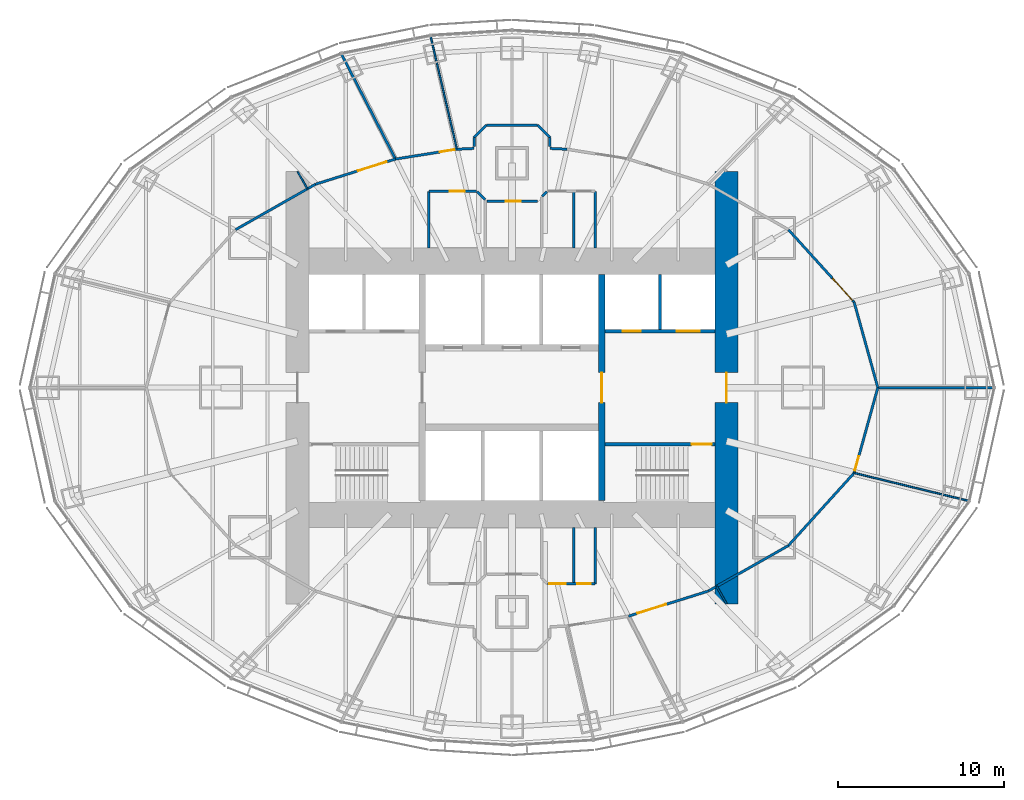
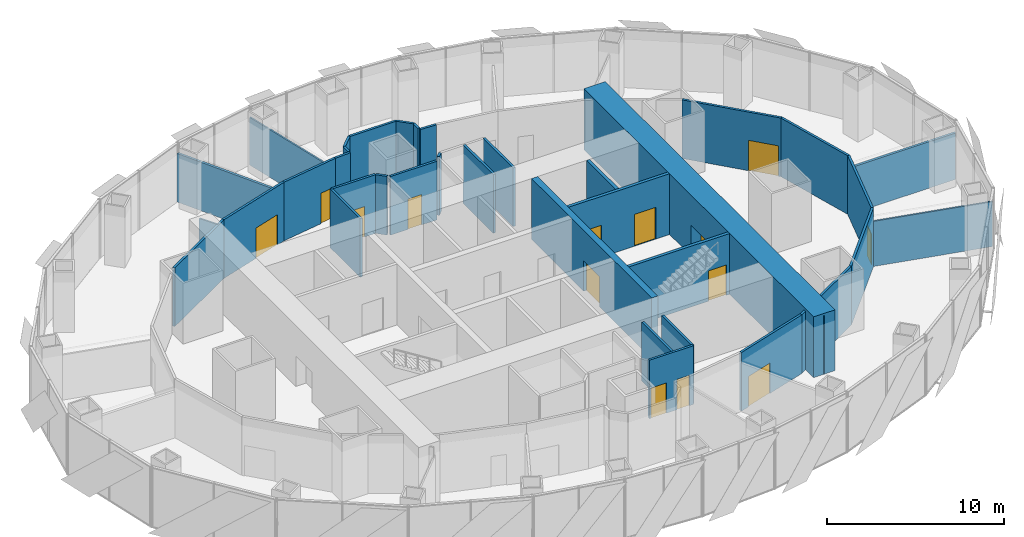
# One storey, part 12 of 18: 37 walls, 14 doors, 14 openings.
"""IFC4 building model written with IfcOpenShell, lengths in metres."""

from ifc_helpers import new_model, si_unit, direction, frame, frame_2d, origin, place, context, subcontext, project, spatial, rectangle, extrude, material, layer, layer_set, type_object, element, fill, save


model = new_model("IFC4")

# Units and contexts
model_context = context("Model", 3, precision=1e-05, world=origin(), true_north=direction((0.0, 1.0)))
body_context = subcontext(model_context, "Body", "Model", "MODEL_VIEW")
ifc_project = project(units=[si_unit("LENGTHUNIT", "METRE"), si_unit("AREAUNIT", "SQUARE_METRE"), si_unit("VOLUMEUNIT", "CUBIC_METRE"), si_unit("PLANEANGLEUNIT", "RADIAN"), si_unit("MASSUNIT", "GRAM", prefix="KILO")], contexts=[model_context])

# Site, building, storey
site_placement = place(None, origin())
site = spatial("IfcSite", under=ifc_project, at=site_placement, CompositionType="ELEMENT")
building_placement = place(site_placement, origin())
building = spatial("IfcBuilding", under=site, at=building_placement, Name="Lantaw Convention Tower", CompositionType="ELEMENT")
storey_placement = place(building_placement, frame((0.0, 0.0, 172.0)))
storey = spatial("IfcBuildingStorey", under=building, at=storey_placement, Name="L40", CompositionType="ELEMENT", Elevation=172.0)

# Wall, opening, door
ifc_material_1 = material(Name="Concrete C60/75", Category="concrete")
ifc_layer_1 = layer(ifc_material_1, 1.39990234375)
ifc_layer_set_1 = layer_set([ifc_layer_1], Name="Core wall 1400")
wall_type_1 = type_object("IfcWallType", Name="Core wall 1400", PredefinedType="SHEAR", material=ifc_layer_set_1)
wall_1_placement = place(storey_placement, frame((12.89990234375, -13.0, 0.0), z_axis=(0.0, 0.0, 1.0), x_axis=(0.0, 1.0, 0.0)))
wall_1 = element("IfcWall", 1, at=wall_1_placement, inside=storey, type_object=wall_type_1, Name="Core wall E", PredefinedType="SHEAR", context=body_context, shape_type="SweptSolid", body=[
    extrude(rectangle(XDim=26.0, YDim=1.39990234375, at=frame_2d((13.0, 0.0))), origin(), (0.0, 0.0, 1.0), 4.199951171875),
])
opening_1_placement = place(wall_1_placement, frame((12.10009765625, 0.0, 0.0)))
opening_1 = element("IfcOpeningElement", 2, at=opening_1_placement, cuts=wall_1, Name="Opening L40.05", PredefinedType="OPENING", context=body_context, shape_type="SweptSolid", body=[
    extrude(rectangle(XDim=1.800048828125, YDim=2.10009765625, at=frame_2d((0.89990234375, 1.050048828125))), frame((0.0, 0.7099609375, 0.0), z_axis=(0.0, -1.0, 0.0), x_axis=(1.0, 0.0, 0.0)), (0.0, 0.0, 1.0), 1.419921875),
])
ifc_material_2 = material(Name="Steel, fire rated", Category="steel")
door_type_1 = type_object("IfcDoorType", Name="Lobby double door FD90", OperationType="DOUBLE_DOOR_DOUBLE_SWING", PredefinedType="DOOR", material=ifc_material_2)
door_1_placement = place(opening_1_placement, origin())
door_1 = element("IfcDoor", 3, at=door_1_placement, inside=storey, type_object=door_type_1, Name="Firefighting lobby door", OperationType="DOUBLE_DOOR_DOUBLE_SWING", OverallHeight=2.10009765625, OverallWidth=1.800048828125, PredefinedType="DOOR", context=body_context, shape_type="SweptSolid", body=[
    extrude(rectangle(XDim=1.800048828125, YDim=2.10009765625, at=frame_2d((0.89990234375, 1.050048828125))), frame((0.0, 0.02490234375, 0.0), z_axis=(0.0, -1.0, 0.0), x_axis=(1.0, 0.0, 0.0)), (0.0, 0.0, 1.0), 0.050048828125),
])
fill(opening_1, door_1)

ifc_layer_2 = layer(ifc_material_1, 0.199951171875)
ifc_layer_set_2 = layer_set([ifc_layer_2], Name="Core wall 200")
wall_type_2 = type_object("IfcWallType", Name="Core wall 200", PredefinedType="SHEAR", material=ifc_layer_set_2)
wall_2_placement = place(storey_placement, frame((5.60009765625, -3.39990234375, 0.0), z_axis=(0.0, 0.0, 1.0), x_axis=(1.0, 0.0, 0.0)))
wall_2 = element("IfcWall", 4, at=wall_2_placement, inside=storey, type_object=wall_type_2, Name="Core wall ES", PredefinedType="SHEAR", context=body_context, shape_type="SweptSolid", body=[
    extrude(rectangle(XDim=6.599853515625, YDim=0.199951171875, at=frame_2d((3.2998046875, 0.0))), origin(), (0.0, 0.0, 1.0), 4.199951171875),
])
opening_2_placement = place(wall_2_placement, frame((5.199951171875, 0.0, 0.0)))
opening_2 = element("IfcOpeningElement", 5, at=opening_2_placement, cuts=wall_2, Name="Opening L40.03", PredefinedType="OPENING", context=body_context, shape_type="SweptSolid", body=[
    extrude(rectangle(XDim=1.199951171875, YDim=2.10009765625, at=frame_2d((0.60009765625, 1.050048828125))), frame((0.0, 0.10986328125, 0.0), z_axis=(0.0, -1.0, 0.0), x_axis=(1.0, 0.0, 0.0)), (0.0, 0.0, 1.0), 0.219970703125),
])
door_type_2 = type_object("IfcDoorType", Name="Stair door FD90", OperationType="SINGLE_SWING_RIGHT", PredefinedType="DOOR", material=ifc_material_2)
door_2_placement = place(opening_2_placement, origin())
door_2 = element("IfcDoor", 6, at=door_2_placement, inside=storey, type_object=door_type_2, Name="Exit stair door", OperationType="SINGLE_SWING_RIGHT", OverallHeight=2.10009765625, OverallWidth=1.199951171875, PredefinedType="DOOR", context=body_context, shape_type="SweptSolid", body=[
    extrude(rectangle(XDim=1.199951171875, YDim=2.10009765625, at=frame_2d((0.60009765625, 1.050048828125))), frame((0.0, 0.02490234375, 0.0), z_axis=(0.0, -1.0, 0.0), x_axis=(1.0, 0.0, 0.0)), (0.0, 0.0, 1.0), 0.050048828125),
])
fill(opening_2, door_2)

ifc_layer_3 = layer(ifc_material_1, 0.39990234375)
ifc_layer_set_3 = layer_set([ifc_layer_3], Name="Core wall 400")
wall_type_3 = type_object("IfcWallType", Name="Core wall 400", PredefinedType="SHEAR", material=ifc_layer_set_3)
wall_3_placement = place(storey_placement, frame((5.39990234375, -6.800048828125, 0.0), z_axis=(0.0, 0.0, 1.0), x_axis=(0.0, 1.0, 0.0)))
wall_3 = element("IfcWall", 7, at=wall_3_placement, inside=storey, type_object=wall_type_3, Name="Core wall XE", PredefinedType="SHEAR", context=body_context, shape_type="SweptSolid", body=[
    extrude(rectangle(XDim=13.60009765625, YDim=0.39990234375, at=frame_2d((6.800048828125, 0.0))), origin(), (0.0, 0.0, 1.0), 4.199951171875),
])
opening_3_placement = place(wall_3_placement, frame((5.89990234375, 0.0, 0.0)))
opening_3 = element("IfcOpeningElement", 8, at=opening_3_placement, cuts=wall_3, Name="Opening L40.01", PredefinedType="OPENING", context=body_context, shape_type="SweptSolid", body=[
    extrude(rectangle(XDim=1.800048828125, YDim=2.10009765625, at=frame_2d((0.89990234375, 1.050048828125))), frame((0.0, 0.2099609375, 0.0), z_axis=(0.0, -1.0, 0.0), x_axis=(1.0, 0.0, 0.0)), (0.0, 0.0, 1.0), 0.419921875),
])
door_3_placement = place(opening_3_placement, origin())
door_3 = element("IfcDoor", 9, at=door_3_placement, inside=storey, type_object=door_type_1, Name="Lift lobby door", OperationType="DOUBLE_DOOR_DOUBLE_SWING", OverallHeight=2.10009765625, OverallWidth=1.800048828125, PredefinedType="DOOR", context=body_context, shape_type="SweptSolid", body=[
    extrude(rectangle(XDim=1.800048828125, YDim=2.10009765625, at=frame_2d((0.89990234375, 1.050048828125))), frame((0.0, 0.02490234375, 0.0), z_axis=(0.0, -1.0, 0.0), x_axis=(1.0, 0.0, 0.0)), (0.0, 0.0, 1.0), 0.050048828125),
])
fill(opening_3, door_3)

# Wall
ifc_material_3 = material(Name="Gypsum board on steel studs, fire rated", Category="steel")
ifc_layer_4 = layer(ifc_material_3, 0.14990234375)
ifc_layer_set_4 = layer_set([ifc_layer_4], Name="Corridor wall 150 EI 60")
wall_type_4 = type_object("IfcWallType", Name="Corridor wall 150 EI 60", PredefinedType="PARTITIONING", material=ifc_layer_set_4)
wall_4_placement = place(storey_placement, frame((22.0, 0.0, 0.0), z_axis=(0.0, 0.0, 1.0), x_axis=(-0.267293817428, 0.963615076244, 0.0)))
element("IfcWall", 10, at=wall_4_placement, inside=storey, type_object=wall_type_4, Name="Corridor wall 150", PredefinedType="PARTITIONING", context=body_context, shape_type="SweptSolid", body=[
    extrude(rectangle(XDim=5.323974609375, YDim=0.14990234375, at=frame_2d((2.662109375, 0.0))), origin(), (0.0, 0.0, 1.0), 4.050048828125),
])

# Wall, opening, door
wall_5_placement = place(storey_placement, frame((20.576904296875, 5.13037109375, 0.0), z_axis=(0.0, 0.0, 1.0), x_axis=(-0.671118353743, 0.741350224435, 0.0)))
wall_5 = element("IfcWall", 11, at=wall_5_placement, inside=storey, type_object=wall_type_4, Name="Corridor wall 150", PredefinedType="PARTITIONING", context=body_context, shape_type="SweptSolid", body=[
    extrude(rectangle(XDim=5.89208984375, YDim=0.14990234375, at=frame_2d((2.946044921875, 0.0))), origin(), (0.0, 0.0, 1.0), 4.050048828125),
])
opening_4_placement = place(wall_5_placement, frame((0.14990234375, 0.0, 0.0)))
opening_4 = element("IfcOpeningElement", 12, at=opening_4_placement, cuts=wall_5, Name="Opening L40.22", PredefinedType="OPENING", context=body_context, shape_type="SweptSolid", body=[
    extrude(rectangle(XDim=1.800048828125, YDim=2.10009765625, at=frame_2d((0.89990234375, 1.050048828125))), frame((0.0, 0.0849609375, 0.0), z_axis=(0.0, -1.0, 0.0), x_axis=(1.0, 0.0, 0.0)), (0.0, 0.0, 1.0), 0.169921875),
])
door_type_3 = type_object("IfcDoorType", Name="Office double door 1800 FD30", OperationType="DOUBLE_DOOR_DOUBLE_SWING", PredefinedType="DOOR", material=ifc_material_2)
door_4_placement = place(opening_4_placement, origin())
door_4 = element("IfcDoor", 13, at=door_4_placement, inside=storey, type_object=door_type_3, Name="Tenant suite door", OperationType="DOUBLE_DOOR_DOUBLE_SWING", OverallHeight=2.10009765625, OverallWidth=1.800048828125, PredefinedType="DOOR", context=body_context, shape_type="SweptSolid", body=[
    extrude(rectangle(XDim=1.800048828125, YDim=2.10009765625, at=frame_2d((0.89990234375, 1.050048828125))), frame((0.0, 0.02490234375, 0.0), z_axis=(0.0, -1.0, 0.0), x_axis=(1.0, 0.0, 0.0)), (0.0, 0.0, 1.0), 0.050048828125),
])
fill(opening_4, door_4)

wall_6_placement = place(storey_placement, frame((-3.3095703125, 14.3349609375, 0.0), z_axis=(0.0, 0.0, 1.0), x_axis=(-0.987511396594, -0.157547585181, 0.0)))
wall_6 = element("IfcWall", 14, at=wall_6_placement, inside=storey, type_object=wall_type_4, Name="Corridor wall 150", PredefinedType="PARTITIONING", context=body_context, shape_type="SweptSolid", body=[
    extrude(rectangle(XDim=3.74072265625, YDim=0.14990234375, at=frame_2d((1.870361328125, 0.0))), origin(), (0.0, 0.0, 1.0), 4.050048828125),
])
opening_5_placement = place(wall_6_placement, frame((0.14990234375, 0.0, 0.0)))
opening_5 = element("IfcOpeningElement", 15, at=opening_5_placement, cuts=wall_6, Name="Opening L40.25", PredefinedType="OPENING", context=body_context, shape_type="SweptSolid", body=[
    extrude(rectangle(XDim=0.89990234375, YDim=2.10009765625, at=frame_2d((0.449951171875, 1.050048828125))), frame((0.0, 0.0849609375, 0.0), z_axis=(0.0, -1.0, 0.0), x_axis=(1.0, 0.0, 0.0)), (0.0, 0.0, 1.0), 0.169921875),
])
door_type_4 = type_object("IfcDoorType", Name="Office door 900 FD30", OperationType="SINGLE_SWING_LEFT", PredefinedType="DOOR", material=ifc_material_2)
door_5_placement = place(opening_5_placement, origin())
door_5 = element("IfcDoor", 16, at=door_5_placement, inside=storey, type_object=door_type_4, Name="Meeting room door", OperationType="SINGLE_SWING_LEFT", OverallHeight=2.10009765625, OverallWidth=0.89990234375, PredefinedType="DOOR", context=body_context, shape_type="SweptSolid", body=[
    extrude(rectangle(XDim=0.89990234375, YDim=2.10009765625, at=frame_2d((0.449951171875, 1.050048828125))), frame((0.0, 0.02490234375, 0.0), z_axis=(0.0, -1.0, 0.0), x_axis=(1.0, 0.0, 0.0)), (0.0, 0.0, 1.0), 0.050048828125),
])
fill(opening_5, door_5)

wall_7_placement = place(storey_placement, frame((-7.003662109375, 13.74560546875, 0.0), z_axis=(0.0, 0.0, 1.0), x_axis=(-0.953893934057, -0.300143903101, 0.0)))
wall_7 = element("IfcWall", 17, at=wall_7_placement, inside=storey, type_object=wall_type_4, Name="Corridor wall 150", PredefinedType="PARTITIONING", context=body_context, shape_type="SweptSolid", body=[
    extrude(rectangle(XDim=5.04150390625, YDim=0.14990234375, at=frame_2d((2.520751953125, 0.0))), origin(), (0.0, 0.0, 1.0), 4.050048828125),
])
opening_6_placement = place(wall_7_placement, frame((0.5703125, 0.0, 0.0)))
opening_6 = element("IfcOpeningElement", 18, at=opening_6_placement, cuts=wall_7, Name="Opening L40.26", PredefinedType="OPENING", context=body_context, shape_type="SweptSolid", body=[
    extrude(rectangle(XDim=1.800048828125, YDim=2.10009765625, at=frame_2d((0.89990234375, 1.050048828125))), frame((0.0, 0.0849609375, 0.0), z_axis=(0.0, -1.0, 0.0), x_axis=(1.0, 0.0, 0.0)), (0.0, 0.0, 1.0), 0.169921875),
])
door_6_placement = place(opening_6_placement, origin())
door_6 = element("IfcDoor", 19, at=door_6_placement, inside=storey, type_object=door_type_3, Name="Tenant suite door", OperationType="DOUBLE_DOOR_DOUBLE_SWING", OverallHeight=2.10009765625, OverallWidth=1.800048828125, PredefinedType="DOOR", context=body_context, shape_type="SweptSolid", body=[
    extrude(rectangle(XDim=1.800048828125, YDim=2.10009765625, at=frame_2d((0.89990234375, 1.050048828125))), frame((0.0, 0.02490234375, 0.0), z_axis=(0.0, -1.0, 0.0), x_axis=(1.0, 0.0, 0.0)), (0.0, 0.0, 1.0), 0.050048828125),
])
fill(opening_6, door_6)

# Wall
wall_8_placement = place(storey_placement, frame((-11.812744140625, 12.232421875, 0.0), z_axis=(0.0, 0.0, 1.0), x_axis=(-0.869375991036, -0.494151177485, 0.0)))
element("IfcWall", 20, at=wall_8_placement, inside=storey, type_object=wall_type_4, Name="Corridor wall 150", PredefinedType="PARTITIONING", context=body_context, shape_type="SweptSolid", body=[
    extrude(rectangle(XDim=5.532470703125, YDim=0.14990234375, at=frame_2d((2.76611328125, 0.0))), origin(), (0.0, 0.0, 1.0), 4.050048828125),
])

# Wall, opening, door
wall_9_placement = place(storey_placement, frame((7.003662109375, -13.74560546875, 0.0), z_axis=(0.0, 0.0, 1.0), x_axis=(0.953893934057, 0.300143903101, 0.0)))
wall_9 = element("IfcWall", 21, at=wall_9_placement, inside=storey, type_object=wall_type_4, Name="Corridor wall 150", PredefinedType="PARTITIONING", context=body_context, shape_type="SweptSolid", body=[
    extrude(rectangle(XDim=5.04150390625, YDim=0.14990234375, at=frame_2d((2.520751953125, 0.0))), origin(), (0.0, 0.0, 1.0), 4.050048828125),
])
opening_7_placement = place(wall_9_placement, frame((0.5703125, 0.0, 0.0)))
opening_7 = element("IfcOpeningElement", 22, at=opening_7_placement, cuts=wall_9, Name="Opening L40.32", PredefinedType="OPENING", context=body_context, shape_type="SweptSolid", body=[
    extrude(rectangle(XDim=1.800048828125, YDim=2.10009765625, at=frame_2d((0.89990234375, 1.050048828125))), frame((0.0, 0.0849609375, 0.0), z_axis=(0.0, -1.0, 0.0), x_axis=(1.0, 0.0, 0.0)), (0.0, 0.0, 1.0), 0.169921875),
])
door_7_placement = place(opening_7_placement, origin())
door_7 = element("IfcDoor", 23, at=door_7_placement, inside=storey, type_object=door_type_3, Name="Tenant suite door", OperationType="DOUBLE_DOOR_DOUBLE_SWING", OverallHeight=2.10009765625, OverallWidth=1.800048828125, PredefinedType="DOOR", context=body_context, shape_type="SweptSolid", body=[
    extrude(rectangle(XDim=1.800048828125, YDim=2.10009765625, at=frame_2d((0.89990234375, 1.050048828125))), frame((0.0, 0.02490234375, 0.0), z_axis=(0.0, -1.0, 0.0), x_axis=(1.0, 0.0, 0.0)), (0.0, 0.0, 1.0), 0.050048828125),
])
fill(opening_7, door_7)

# Walls
wall_10_placement = place(storey_placement, frame((11.812744140625, -12.232421875, 0.0), z_axis=(0.0, 0.0, 1.0), x_axis=(0.869375991036, 0.494151177485, 0.0)))
element("IfcWall", 24, at=wall_10_placement, inside=storey, type_object=wall_type_4, Name="Corridor wall 150", PredefinedType="PARTITIONING", context=body_context, shape_type="SweptSolid", body=[
    extrude(rectangle(XDim=5.532470703125, YDim=0.14990234375, at=frame_2d((2.76611328125, 0.0))), origin(), (0.0, 0.0, 1.0), 4.050048828125),
])
wall_11_placement = place(storey_placement, frame((16.62255859375, -9.49853515625, 0.0), z_axis=(0.0, 0.0, 1.0), x_axis=(0.671118353743, 0.741350224435, 0.0)))
element("IfcWall", 25, at=wall_11_placement, inside=storey, type_object=wall_type_4, Name="Corridor wall 150", PredefinedType="PARTITIONING", context=body_context, shape_type="SweptSolid", body=[
    extrude(rectangle(XDim=5.89208984375, YDim=0.14990234375, at=frame_2d((2.946044921875, 0.0))), origin(), (0.0, 0.0, 1.0), 4.050048828125),
])

# Wall, opening, door
wall_12_placement = place(storey_placement, frame((20.576904296875, -5.13037109375, 0.0), z_axis=(0.0, 0.0, 1.0), x_axis=(0.267293817428, 0.963615076244, 0.0)))
wall_12 = element("IfcWall", 26, at=wall_12_placement, inside=storey, type_object=wall_type_4, Name="Corridor wall 150", PredefinedType="PARTITIONING", context=body_context, shape_type="SweptSolid", body=[
    extrude(rectangle(XDim=5.323974609375, YDim=0.14990234375, at=frame_2d((2.662109375, 0.0))), origin(), (0.0, 0.0, 1.0), 4.050048828125),
])
opening_8_placement = place(wall_12_placement, frame((0.14990234375, 0.0, 0.0)))
opening_8 = element("IfcOpeningElement", 27, at=opening_8_placement, cuts=wall_12, Name="Opening L40.33", PredefinedType="OPENING", context=body_context, shape_type="SweptSolid", body=[
    extrude(rectangle(XDim=0.89990234375, YDim=2.10009765625, at=frame_2d((0.449951171875, 1.050048828125))), frame((0.0, 0.0849609375, 0.0), z_axis=(0.0, -1.0, 0.0), x_axis=(1.0, 0.0, 0.0)), (0.0, 0.0, 1.0), 0.169921875),
])
door_8_placement = place(opening_8_placement, origin())
door_8 = element("IfcDoor", 28, at=door_8_placement, inside=storey, type_object=door_type_4, Name="Meeting room door", OperationType="SINGLE_SWING_LEFT", OverallHeight=2.10009765625, OverallWidth=0.89990234375, PredefinedType="DOOR", context=body_context, shape_type="SweptSolid", body=[
    extrude(rectangle(XDim=0.89990234375, YDim=2.10009765625, at=frame_2d((0.449951171875, 1.050048828125))), frame((0.0, 0.02490234375, 0.0), z_axis=(0.0, -1.0, 0.0), x_axis=(1.0, 0.0, 0.0)), (0.0, 0.0, 1.0), 0.050048828125),
])
fill(opening_8, door_8)

# Walls
for number, where, z_axis, x_axis, name in (
    (29, (3.3095703125, 14.3349609375, 0.0), (0.0, 0.0, 1.0), (-0.998761909217, 0.049745841003, 0.0), "Corridor wall 150"),
    (30, (-2.294921875, 14.385498046875, 0.0), (0.0, 0.0, 1.0), (-0.998761909217, -0.049745841003, 0.0), "Corridor wall 150"),
):
    element("IfcWall", number, at=place(storey_placement, frame(where, z_axis=z_axis, x_axis=x_axis)), inside=storey, type_object=wall_type_4, Name=name, PredefinedType="PARTITIONING", context=body_context, shape_type="SweptSolid", body=[
        extrude(rectangle(XDim=1.015869140625, YDim=0.14990234375, at=frame_2d((0.5078125, 0.0))), origin(), (0.0, 0.0, 1.0), 4.050048828125),
    ])
wall_13_placement = place(storey_placement, frame((-2.284912109375, 14.487060546875, 0.0), z_axis=(0.0, 0.0, 1.0), x_axis=(0.0, 1.0, 0.0)))
element("IfcWall", 31, at=wall_13_placement, inside=storey, type_object=wall_type_4, Name="Corridor wall 150", PredefinedType="PARTITIONING", context=body_context, shape_type="SweptSolid", body=[
    extrude(rectangle(XDim=0.545166015625, YDim=0.14990234375, at=frame_2d((0.2724609375, 0.0))), origin(), (0.0, 0.0, 1.0), 4.050048828125),
])
wall_14_placement = place(storey_placement, frame((-2.284912109375, 15.0322265625, 0.0), z_axis=(0.0, 0.0, 1.0), x_axis=(0.707106781187, 0.707106781187, 0.0)))
element("IfcWall", 32, at=wall_14_placement, inside=storey, type_object=wall_type_4, Name="Corridor wall 150", PredefinedType="PARTITIONING", context=body_context, shape_type="SweptSolid", body=[
    extrude(rectangle(XDim=1.064453125, YDim=0.14990234375, at=frame_2d((0.5322265625, 0.0))), origin(), (0.0, 0.0, 1.0), 4.050048828125),
])
wall_15_placement = place(storey_placement, frame((-1.5322265625, 15.784912109375, 0.0), z_axis=(0.0, 0.0, 1.0), x_axis=(1.0, 0.0, 0.0)))
element("IfcWall", 33, at=wall_15_placement, inside=storey, type_object=wall_type_4, Name="Corridor wall 150", PredefinedType="PARTITIONING", context=body_context, shape_type="SweptSolid", body=[
    extrude(rectangle(XDim=3.064453125, YDim=0.14990234375, at=frame_2d((1.5322265625, 0.0))), origin(), (0.0, 0.0, 1.0), 4.050048828125),
])
wall_16_placement = place(storey_placement, frame((1.5322265625, 15.784912109375, 0.0), z_axis=(0.0, 0.0, 1.0), x_axis=(0.707106781187, -0.707106781187, 0.0)))
element("IfcWall", 34, at=wall_16_placement, inside=storey, type_object=wall_type_4, Name="Corridor wall 150", PredefinedType="PARTITIONING", context=body_context, shape_type="SweptSolid", body=[
    extrude(rectangle(XDim=1.064453125, YDim=0.14990234375, at=frame_2d((0.5322265625, 0.0))), origin(), (0.0, 0.0, 1.0), 4.050048828125),
])
wall_17_placement = place(storey_placement, frame((2.284912109375, 15.0322265625, 0.0), z_axis=(0.0, 0.0, 1.0), x_axis=(0.0, -1.0, 0.0)))
element("IfcWall", 35, at=wall_17_placement, inside=storey, type_object=wall_type_4, Name="Corridor wall 150", PredefinedType="PARTITIONING", context=body_context, shape_type="SweptSolid", body=[
    extrude(rectangle(XDim=0.545166015625, YDim=0.14990234375, at=frame_2d((0.2724609375, 0.0))), origin(), (0.0, 0.0, 1.0), 4.050048828125),
])
ifc_material_4 = material(Name="Gypsum board on steel studs, acoustic", Category="steel")
ifc_layer_5 = layer(ifc_material_4, 0.10009765625)
ifc_layer_set_5 = layer_set([ifc_layer_5], Name="Office partition 100")
wall_type_5 = type_object("IfcWallType", Name="Office partition 100", PredefinedType="PARTITIONING", material=ifc_layer_set_5)
wall_18_placement = place(storey_placement, frame((-4.89697265625, 21.134765625, 0.0), z_axis=(0.0, 0.0, 1.0), x_axis=(0.22733572198, -0.973816445493, 0.0)))
element("IfcWall", 36, at=wall_18_placement, inside=storey, type_object=wall_type_5, Name="Office partition 100", PredefinedType="PARTITIONING", context=body_context, shape_type="SweptSolid", body=[
    extrude(rectangle(XDim=6.982666015625, YDim=0.10009765625, at=frame_2d((3.4912109375, 0.0))), origin(), (0.0, 0.0, 1.0), 3.29296875),
])
wall_19_placement = place(storey_placement, frame((27.440673828125, -6.808837890625, 0.0), z_axis=(0.0, 0.0, 1.0), x_axis=(-0.971377572955, 0.237540755996, 0.0)))
element("IfcWall", 37, at=wall_19_placement, inside=storey, type_object=wall_type_5, Name="Office partition 100", PredefinedType="PARTITIONING", context=body_context, shape_type="SweptSolid", body=[
    extrude(rectangle(XDim=7.06591796875, YDim=0.10009765625, at=frame_2d((3.532958984375, 0.0))), origin(), (0.0, 0.0, 1.0), 3.11279296875),
])
for number, where, z_axis, x_axis, name in (
    (38, (12.89990234375, -13.0, 0.0), (0.0, 0.0, 1.0), (-0.494173075358, 0.869363543974, 0.0), "Office partition 100"),
    (39, (-12.89990234375, 13.0, 0.0), (0.0, 0.0, 1.0), (0.494173075358, -0.869363543974, 0.0), "Office partition 100"),
):
    element("IfcWall", number, at=place(storey_placement, frame(where, z_axis=z_axis, x_axis=x_axis)), inside=storey, type_object=wall_type_5, Name=name, PredefinedType="PARTITIONING", context=body_context, shape_type="SweptSolid", body=[
        extrude(rectangle(XDim=1.204345703125, YDim=0.10009765625, at=frame_2d((0.60205078125, 0.0))), origin(), (0.0, 0.0, 1.0), 4.050048828125),
    ])

# Wall, openings, doors
ifc_material_5 = material(Name="Concrete blockwork, fire rated", Category="masonry")
ifc_layer_6 = layer(ifc_material_5, 0.199951171875)
ifc_layer_set_6 = layer_set([ifc_layer_6], Name="Shaft wall 200")
wall_type_6 = type_object("IfcWallType", Name="Shaft wall 200", PredefinedType="SOLIDWALL", material=ifc_layer_set_6)
wall_20_placement = place(storey_placement, frame((12.199951171875, 3.39990234375, 0.0), z_axis=(0.0, 0.0, 1.0), x_axis=(-1.0, 0.0, 0.0)))
wall_20 = element("IfcWall", 40, at=wall_20_placement, inside=storey, type_object=wall_type_6, Name="Shaft wall EN", PredefinedType="SOLIDWALL", context=body_context, shape_type="SweptSolid", body=[
    extrude(rectangle(XDim=6.599853515625, YDim=0.199951171875, at=frame_2d((3.2998046875, 0.0))), origin(), (0.0, 0.0, 1.0), 4.199951171875),
])
opening_9_placement = place(wall_20_placement, frame((4.449951171875, 0.0, 0.0)))
opening_9 = element("IfcOpeningElement", 41, at=opening_9_placement, cuts=wall_20, Name="Opening L40.12", PredefinedType="OPENING", context=body_context, shape_type="SweptSolid", body=[
    extrude(rectangle(XDim=1.10009765625, YDim=2.199951171875, at=frame_2d((0.550048828125, 1.10009765625))), frame((0.0, 0.10986328125, 0.0), z_axis=(0.0, -1.0, 0.0), x_axis=(1.0, 0.0, 0.0)), (0.0, 0.0, 1.0), 0.219970703125),
])
opening_10_placement = place(wall_20_placement, frame((0.89990234375, 0.0, 0.0)))
opening_10 = element("IfcOpeningElement", 42, at=opening_10_placement, cuts=wall_20, Name="Opening L40.13", PredefinedType="OPENING", context=body_context, shape_type="SweptSolid", body=[
    extrude(rectangle(XDim=1.39990234375, YDim=2.199951171875, at=frame_2d((0.699951171875, 1.10009765625))), frame((0.0, 0.10986328125, 0.0), z_axis=(0.0, -1.0, 0.0), x_axis=(1.0, 0.0, 0.0)), (0.0, 0.0, 1.0), 0.219970703125),
])
ifc_material_6 = material(Name="Stainless steel", Category="steel")
door_type_5 = type_object("IfcDoorType", Name="Lift landing door 1100", OperationType="DOUBLE_DOOR_SLIDING", PredefinedType="DOOR", material=ifc_material_6)
door_9_placement = place(opening_9_placement, origin())
door_9 = element("IfcDoor", 43, at=door_9_placement, inside=storey, type_object=door_type_5, Name="Lift landing door FF2", OperationType="DOUBLE_DOOR_SLIDING", OverallHeight=2.199951171875, OverallWidth=1.10009765625, PredefinedType="DOOR", context=body_context, shape_type="SweptSolid", body=[
    extrude(rectangle(XDim=1.10009765625, YDim=2.199951171875, at=frame_2d((0.550048828125, 1.10009765625))), frame((0.0, 0.02490234375, 0.0), z_axis=(0.0, -1.0, 0.0), x_axis=(1.0, 0.0, 0.0)), (0.0, 0.0, 1.0), 0.050048828125),
])
fill(opening_9, door_9)
door_type_6 = type_object("IfcDoorType", Name="Lift landing door 1400", OperationType="DOUBLE_DOOR_SLIDING", PredefinedType="DOOR", material=ifc_material_6)
door_10_placement = place(opening_10_placement, origin())
door_10 = element("IfcDoor", 44, at=door_10_placement, inside=storey, type_object=door_type_6, Name="Lift landing door SV2", OperationType="DOUBLE_DOOR_SLIDING", OverallHeight=2.199951171875, OverallWidth=1.39990234375, PredefinedType="DOOR", context=body_context, shape_type="SweptSolid", body=[
    extrude(rectangle(XDim=1.39990234375, YDim=2.199951171875, at=frame_2d((0.699951171875, 1.10009765625))), frame((0.0, 0.02490234375, 0.0), z_axis=(0.0, -1.0, 0.0), x_axis=(1.0, 0.0, 0.0)), (0.0, 0.0, 1.0), 0.050048828125),
])
fill(opening_10, door_10)

# Walls
wall_21_placement = place(storey_placement, frame((8.89990234375, 3.5, 0.0), z_axis=(0.0, 0.0, 1.0), x_axis=(0.0, 1.0, 0.0)))
element("IfcWall", 45, at=wall_21_placement, inside=storey, type_object=wall_type_6, Name="Shaft wall ED", PredefinedType="SOLIDWALL", context=body_context, shape_type="SweptSolid", body=[
    extrude(rectangle(XDim=3.300048828125, YDim=0.199951171875, at=frame_2d((1.64990234375, 0.0))), origin(), (0.0, 0.0, 1.0), 4.199951171875),
])
ifc_layer_7 = layer(ifc_material_3, 0.14990234375)
ifc_layer_set_7 = layer_set([ifc_layer_7], Name="Tenant separation wall 150 EI 60")
wall_type_7 = type_object("IfcWallType", Name="Tenant separation wall 150 EI 60", PredefinedType="PARTITIONING", material=ifc_layer_set_7)
wall_22_placement = place(storey_placement, frame((28.944091796875, 0.0, 0.0), z_axis=(0.0, 0.0, 1.0), x_axis=(-1.0, 0.0, 0.0)))
element("IfcWall", 46, at=wall_22_placement, inside=storey, type_object=wall_type_7, Name="Tenant separation wall 150", PredefinedType="PARTITIONING", context=body_context, shape_type="SweptSolid", body=[
    extrude(rectangle(XDim=6.944091796875, YDim=0.14990234375, at=frame_2d((3.47216796875, 0.0))), origin(), (0.0, 0.0, 1.0), 3.2041015625),
])
wall_23_placement = place(storey_placement, frame((-10.25341796875, 20.0517578125, 0.0), z_axis=(0.0, 0.0, 1.0), x_axis=(0.458082677592, -0.888909590729, 0.0)))
element("IfcWall", 47, at=wall_23_placement, inside=storey, type_object=wall_type_7, Name="Tenant separation wall 150", PredefinedType="PARTITIONING", context=body_context, shape_type="SweptSolid", body=[
    extrude(rectangle(XDim=7.09423828125, YDim=0.14990234375, at=frame_2d((3.547119140625, 0.0))), origin(), (0.0, 0.0, 1.0), 3.348876953125),
])
ifc_material_7 = material(Name="Concrete blockwork", Category="masonry")
ifc_layer_8 = layer(ifc_material_7, 0.14990234375)
ifc_layer_set_8 = layer_set([ifc_layer_8], Name="WC wall 150")
wall_type_8 = type_object("IfcWallType", Name="WC wall 150", PredefinedType="SOLIDWALL", material=ifc_layer_set_8)
for number, where, z_axis, x_axis, name in (
    (48, (-5.0, 8.39990234375, 0.0), (0.0, 0.0, 1.0), (0.0, 1.0, 0.0), "WC wall 150"),
    (49, (5.0, 8.39990234375, 0.0), (0.0, 0.0, 1.0), (0.0, 1.0, 0.0), "WC wall 150"),
    (50, (3.699951171875, 8.39990234375, 0.0), (0.0, 0.0, 1.0), (0.0, 1.0, 0.0), "WC wall 150"),
    (51, (5.0, -8.39990234375, 0.0), (0.0, 0.0, 1.0), (0.0, -1.0, 0.0), "WC wall 150"),
    (52, (3.699951171875, -8.39990234375, 0.0), (0.0, 0.0, 1.0), (0.0, -1.0, 0.0), "WC wall 150"),
):
    element("IfcWall", number, at=place(storey_placement, frame(where, z_axis=z_axis, x_axis=x_axis)), inside=storey, type_object=wall_type_8, Name=name, PredefinedType="SOLIDWALL", context=body_context, shape_type="SweptSolid", body=[
        extrude(rectangle(XDim=3.400146484375, YDim=0.14990234375, at=frame_2d((1.7001953125, 0.0))), origin(), (0.0, 0.0, 1.0), 4.050048828125),
    ])

# Wall, openings, doors
wall_24_placement = place(storey_placement, frame((2.13134765625, -11.800048828125, 0.0), z_axis=(0.0, 0.0, 1.0), x_axis=(1.0, 0.0, 0.0)))
wall_24 = element("IfcWall", 53, at=wall_24_placement, inside=storey, type_object=wall_type_8, Name="WC wall 150", PredefinedType="SOLIDWALL", context=body_context, shape_type="SweptSolid", body=[
    extrude(rectangle(XDim=2.86865234375, YDim=0.14990234375, at=frame_2d((1.434326171875, 0.0))), origin(), (0.0, 0.0, 1.0), 4.050048828125),
])
opening_11_placement = place(wall_24_placement, frame((0.10009765625, 0.0, 0.0)))
opening_11 = element("IfcOpeningElement", 54, at=opening_11_placement, cuts=wall_24, Name="Opening L40.20", PredefinedType="OPENING", context=body_context, shape_type="SweptSolid", body=[
    extrude(rectangle(XDim=1.0, YDim=2.10009765625, at=frame_2d((0.5, 1.050048828125))), frame((0.0, 0.0849609375, 0.0), z_axis=(0.0, -1.0, 0.0), x_axis=(1.0, 0.0, 0.0)), (0.0, 0.0, 1.0), 0.169921875),
])
opening_12_placement = place(wall_24_placement, frame((1.800048828125, 0.0, 0.0)))
opening_12 = element("IfcOpeningElement", 55, at=opening_12_placement, cuts=wall_24, Name="Opening L40.21", PredefinedType="OPENING", context=body_context, shape_type="SweptSolid", body=[
    extrude(rectangle(XDim=0.800048828125, YDim=2.10009765625, at=frame_2d((0.39990234375, 1.050048828125))), frame((0.0, 0.0849609375, 0.0), z_axis=(0.0, -1.0, 0.0), x_axis=(1.0, 0.0, 0.0)), (0.0, 0.0, 1.0), 0.169921875),
])
ifc_material_8 = material(Name="Timber", Category="wood")
door_type_7 = type_object("IfcDoorType", Name="Accessible WC door 1000", OperationType="SINGLE_SWING_LEFT", PredefinedType="DOOR", material=ifc_material_8)
door_11_placement = place(opening_11_placement, origin())
door_11 = element("IfcDoor", 56, at=door_11_placement, inside=storey, type_object=door_type_7, Name="Accessible WC door", OperationType="SINGLE_SWING_LEFT", OverallHeight=2.10009765625, OverallWidth=1.0, PredefinedType="DOOR", context=body_context, shape_type="SweptSolid", body=[
    extrude(rectangle(XDim=1.0, YDim=2.10009765625, at=frame_2d((0.5, 1.050048828125))), frame((0.0, 0.02490234375, 0.0), z_axis=(0.0, -1.0, 0.0), x_axis=(1.0, 0.0, 0.0)), (0.0, 0.0, 1.0), 0.050048828125),
])
fill(opening_11, door_11)
door_type_8 = type_object("IfcDoorType", Name="WC door 800", OperationType="SINGLE_SWING_LEFT", PredefinedType="DOOR", material=ifc_material_8)
door_12_placement = place(opening_12_placement, origin())
door_12 = element("IfcDoor", 57, at=door_12_placement, inside=storey, type_object=door_type_8, Name="Pantry door", OperationType="SINGLE_SWING_LEFT", OverallHeight=2.10009765625, OverallWidth=0.800048828125, PredefinedType="DOOR", context=body_context, shape_type="SweptSolid", body=[
    extrude(rectangle(XDim=0.800048828125, YDim=2.10009765625, at=frame_2d((0.39990234375, 1.050048828125))), frame((0.0, 0.02490234375, 0.0), z_axis=(0.0, -1.0, 0.0), x_axis=(1.0, 0.0, 0.0)), (0.0, 0.0, 1.0), 0.050048828125),
])
fill(opening_12, door_12)

# Wall, opening, door
wall_25_placement = place(storey_placement, frame((-5.0, 11.800048828125, 0.0), z_axis=(0.0, 0.0, 1.0), x_axis=(1.0, 0.0, 0.0)))
wall_25 = element("IfcWall", 58, at=wall_25_placement, inside=storey, type_object=wall_type_8, Name="WC wall 150", PredefinedType="SOLIDWALL", context=body_context, shape_type="SweptSolid", body=[
    extrude(rectangle(XDim=2.86865234375, YDim=0.14990234375, at=frame_2d((1.434326171875, 0.0))), origin(), (0.0, 0.0, 1.0), 4.050048828125),
])
opening_13_placement = place(wall_25_placement, frame((1.25, 0.0, 0.0)))
opening_13 = element("IfcOpeningElement", 59, at=opening_13_placement, cuts=wall_25, Name="Opening L40.14", PredefinedType="OPENING", context=body_context, shape_type="SweptSolid", body=[
    extrude(rectangle(XDim=0.89990234375, YDim=2.10009765625, at=frame_2d((0.449951171875, 1.050048828125))), frame((0.0, 0.0849609375, 0.0), z_axis=(0.0, -1.0, 0.0), x_axis=(1.0, 0.0, 0.0)), (0.0, 0.0, 1.0), 0.169921875),
])
door_type_9 = type_object("IfcDoorType", Name="WC door 900", OperationType="SINGLE_SWING_LEFT", PredefinedType="DOOR", material=ifc_material_8)
door_13_placement = place(opening_13_placement, origin())
door_13 = element("IfcDoor", 60, at=door_13_placement, inside=storey, type_object=door_type_9, Name="Female WC door", OperationType="SINGLE_SWING_LEFT", OverallHeight=2.10009765625, OverallWidth=0.89990234375, PredefinedType="DOOR", context=body_context, shape_type="SweptSolid", body=[
    extrude(rectangle(XDim=0.89990234375, YDim=2.10009765625, at=frame_2d((0.449951171875, 1.050048828125))), frame((0.0, 0.02490234375, 0.0), z_axis=(0.0, -1.0, 0.0), x_axis=(1.0, 0.0, 0.0)), (0.0, 0.0, 1.0), 0.050048828125),
])
fill(opening_13, door_13)

# Wall
wall_26_placement = place(storey_placement, frame((-1.615966796875, 11.298583984375, 0.0), z_axis=(0.0, 0.0, 1.0), x_axis=(-0.706928959799, 0.707284557867, 0.0)))
element("IfcWall", 61, at=wall_26_placement, inside=storey, type_object=wall_type_8, Name="WC wall 150", PredefinedType="SOLIDWALL", context=body_context, shape_type="SweptSolid", body=[
    extrude(rectangle(XDim=0.6865234375, YDim=0.14990234375, at=frame_2d((0.34326171875, 0.0))), origin(), (0.0, 0.0, 1.0), 4.050048828125),
])

# Wall, opening, door
wall_27_placement = place(storey_placement, frame((1.5322265625, 11.215087890625, 0.0), z_axis=(0.0, 0.0, 1.0), x_axis=(-1.0, 0.0, 0.0)))
wall_27 = element("IfcWall", 62, at=wall_27_placement, inside=storey, type_object=wall_type_8, Name="WC wall 150", PredefinedType="SOLIDWALL", context=body_context, shape_type="SweptSolid", body=[
    extrude(rectangle(XDim=3.02734375, YDim=0.14990234375, at=frame_2d((1.513671875, 0.0))), origin(), (0.0, 0.0, 1.0), 4.050048828125),
])
opening_14_placement = place(wall_27_placement, frame((1.0, 0.0, 0.0)))
opening_14 = element("IfcOpeningElement", 63, at=opening_14_placement, cuts=wall_27, Name="Opening L40.15", PredefinedType="OPENING", context=body_context, shape_type="SweptSolid", body=[
    extrude(rectangle(XDim=0.89990234375, YDim=2.10009765625, at=frame_2d((0.449951171875, 1.050048828125))), frame((0.0, 0.0849609375, 0.0), z_axis=(0.0, -1.0, 0.0), x_axis=(1.0, 0.0, 0.0)), (0.0, 0.0, 1.0), 0.169921875),
])
door_14_placement = place(opening_14_placement, origin())
door_14 = element("IfcDoor", 64, at=door_14_placement, inside=storey, type_object=door_type_9, Name="Male WC door", OperationType="SINGLE_SWING_LEFT", OverallHeight=2.10009765625, OverallWidth=0.89990234375, PredefinedType="DOOR", context=body_context, shape_type="SweptSolid", body=[
    extrude(rectangle(XDim=0.89990234375, YDim=2.10009765625, at=frame_2d((0.449951171875, 1.050048828125))), frame((0.0, 0.02490234375, 0.0), z_axis=(0.0, -1.0, 0.0), x_axis=(1.0, 0.0, 0.0)), (0.0, 0.0, 1.0), 0.050048828125),
])
fill(opening_14, door_14)

# Wall
wall_28_placement = place(storey_placement, frame((2.101318359375, 11.7841796875, 0.0), z_axis=(0.0, 0.0, 1.0), x_axis=(-0.706804405012, -0.707409028113, 0.0)))
element("IfcWall", 65, at=wall_28_placement, inside=storey, type_object=wall_type_8, Name="WC wall 150", PredefinedType="SOLIDWALL", context=body_context, shape_type="SweptSolid", body=[
    extrude(rectangle(XDim=0.40380859375, YDim=0.14990234375, at=frame_2d((0.201904296875, 0.0))), origin(), (0.0, 0.0, 1.0), 4.050048828125),
])

save(model, "model.ifc")
